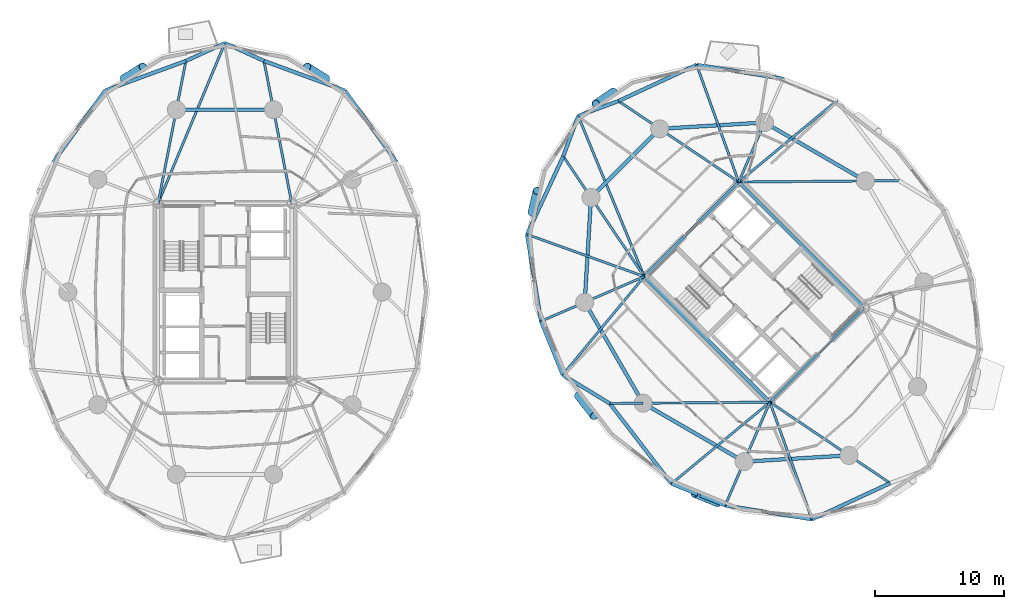
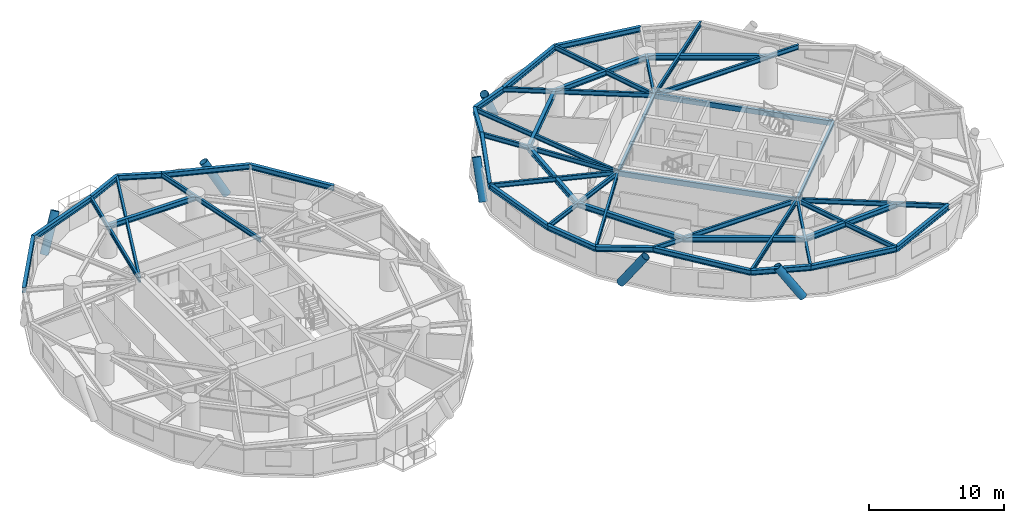
# One storey, part 5 of 18: 49 beams, 6 members.
"""IFC4 building model written with IfcOpenShell, lengths in metres."""

from ifc_helpers import new_model, si_unit, direction, frame, origin, origin_2d, place, context, subcontext, project, spatial, hollow_rectangle, hollow_circle, i_section, extrude, material, material_profile, profile_set, type_object, element, save


model = new_model("IFC4")

# Units and contexts
model_context = context("Model", 3, precision=1e-05, world=origin(), true_north=direction((0.0, 1.0)))
body_context = subcontext(model_context, "Body", "Model", "MODEL_VIEW")
ifc_project = project(units=[si_unit("LENGTHUNIT", "METRE"), si_unit("AREAUNIT", "SQUARE_METRE"), si_unit("VOLUMEUNIT", "CUBIC_METRE"), si_unit("PLANEANGLEUNIT", "RADIAN"), si_unit("MASSUNIT", "GRAM", prefix="KILO")], contexts=[model_context])

# Site, building, storey
site_placement = place(None, origin())
site = spatial("IfcSite", under=ifc_project, at=site_placement, CompositionType="ELEMENT")
building_placement = place(site_placement, origin())
building = spatial("IfcBuilding", under=site, at=building_placement, Name="Cununo Teusaquillo Station Towers", CompositionType="ELEMENT")
storey_placement = place(building_placement, frame((0.0, 0.0, 105.070068359375)))
storey = spatial("IfcBuildingStorey", under=building, at=storey_placement, Name="L33", CompositionType="ELEMENT", Elevation=105.070068359375)

# Beams
ifc_material_1 = material(Name="Steel EN 10025-2 S355J2", Category="steel")
ifc_material_profile_1 = material_profile(ifc_material_1, hollow_rectangle(XDim=0.25, YDim=0.449951171875, WallThickness=0.01611328125, at=origin_2d()), Name="RHS 450x250x16")
ifc_profile_set_1 = profile_set([ifc_material_profile_1], Name="Steel EN 10025-2 S355J2")
beam_type_1 = type_object("IfcBeamType", Name="BM-COUP-1", PredefinedType="USERDEFINED", material=ifc_profile_set_1)
for number, where, z_axis, x_axis, name in (
    (1, (58.70556640625, 15.975830078125, 2.44482421875), (-0.707106781187, 0.707106781187, 0.0), (-0.707106781187, -0.707106781187, 0.0), "L33 Tower B Core Beam 1"),
    (2, (66.024169921875, 23.29443359375, 2.44482421875), (-0.707106781187, 0.707106781187, 0.0), (-0.707106781187, -0.707106781187, 0.0), "L33 Tower B Core Beam 2"),
):
    element("IfcBeam", number, at=place(storey_placement, frame(where, z_axis=z_axis, x_axis=x_axis)), inside=storey, type_object=beam_type_1, Name=name, ObjectType="COUPLING BEAM", PredefinedType="USERDEFINED", context=body_context, shape_type="SweptSolid", body=[
        extrude(hollow_rectangle(XDim=0.25, YDim=0.449951171875, WallThickness=0.01611328125, at=origin_2d()), origin(), (0.0, 0.0, 1.0), 13.760009765625),
    ])
ifc_material_2 = material(Name="Steel ASTM A572 Grade 50", Category="steel")
ifc_material_profile_2 = material_profile(ifc_material_2, i_section(OverallWidth=0.180908203125, OverallDepth=0.4169921875, WebThickness=0.010986328125, FlangeThickness=0.018310546875, FilletRadius=0.012939453125, at=origin_2d()), Name="W16X57")
ifc_profile_set_2 = profile_set([ifc_material_profile_2], Name="Steel ASTM A572 Grade 50")
beam_type_2 = type_object("IfcBeamType", Name="BM-JOIST-1", PredefinedType="JOIST", material=ifc_profile_set_2)
beam_1_placement = place(storey_placement, frame((11.324951171875, 31.3798828125, 2.46142578125), z_axis=(0.38487837995, 0.922967297713, 0.0), x_axis=(-0.922967297713, 0.38487837995, 0.0)))
element("IfcBeam", 3, at=beam_1_placement, inside=storey, type_object=beam_type_2, Name="L33 Tower A Radial Spandrel Joist V05", PredefinedType="JOIST", context=body_context, shape_type="SweptSolid", body=[
    extrude(i_section(OverallWidth=0.180908203125, OverallDepth=0.4169921875, WebThickness=0.010986328125, FlangeThickness=0.018310546875, FilletRadius=0.012939453125, at=origin_2d()), origin(), (0.0, 0.0, 1.0), 13.446044921875),
])
beam_2_placement = place(storey_placement, frame((56.29443359375, 33.024169921875, 2.46142578125), z_axis=(0.769727799615, 0.638372238196, 0.0), x_axis=(-0.638372238196, 0.769727799615, 0.0)))
element("IfcBeam", 4, at=beam_2_placement, inside=storey, type_object=beam_type_2, Name="L33 Tower B Radial Spandrel Joist V01", PredefinedType="JOIST", context=body_context, shape_type="SweptSolid", body=[
    extrude(i_section(OverallWidth=0.180908203125, OverallDepth=0.4169921875, WebThickness=0.010986328125, FlangeThickness=0.018310546875, FilletRadius=0.012939453125, at=origin_2d()), origin(), (0.0, 0.0, 1.0), 9.895263671875),
])
beam_3_placement = place(storey_placement, frame((56.29443359375, 33.024169921875, 2.46142578125), z_axis=(-0.338176312038, 0.941082771055, 0.0), x_axis=(-0.941082771055, -0.338176312038, 0.0)))
element("IfcBeam", 5, at=beam_3_placement, inside=storey, type_object=beam_type_2, Name="L33 Tower B Radial Spandrel Joist V03", PredefinedType="JOIST", context=body_context, shape_type="SweptSolid", body=[
    extrude(i_section(OverallWidth=0.180908203125, OverallDepth=0.4169921875, WebThickness=0.010986328125, FlangeThickness=0.018310546875, FilletRadius=0.012939453125, at=origin_2d()), origin(), (0.0, 0.0, 1.0), 9.646484375),
])
beam_4_placement = place(storey_placement, frame((48.975830078125, 25.70556640625, 2.46142578125), z_axis=(-0.380485864505, 0.924786735908, 0.0), x_axis=(-0.924786735908, -0.380485864505, 0.0)))
element("IfcBeam", 6, at=beam_4_placement, inside=storey, type_object=beam_type_2, Name="L33 Tower B Radial Spandrel Joist V05", PredefinedType="JOIST", context=body_context, shape_type="SweptSolid", body=[
    extrude(i_section(OverallWidth=0.180908203125, OverallDepth=0.4169921875, WebThickness=0.010986328125, FlangeThickness=0.018310546875, FilletRadius=0.012939453125, at=origin_2d()), origin(), (0.0, 0.0, 1.0), 13.44580078125),
])
beam_5_placement = place(storey_placement, frame((48.975830078125, 25.70556640625, 2.46142578125), z_axis=(-0.941082771055, 0.338176312038, 0.0), x_axis=(-0.338176312038, -0.941082771055, 0.0)))
element("IfcBeam", 7, at=beam_5_placement, inside=storey, type_object=beam_type_2, Name="L33 Tower B Radial Spandrel Joist V07", PredefinedType="JOIST", context=body_context, shape_type="SweptSolid", body=[
    extrude(i_section(OverallWidth=0.180908203125, OverallDepth=0.4169921875, WebThickness=0.010986328125, FlangeThickness=0.018310546875, FilletRadius=0.012939453125, at=origin_2d()), origin(), (0.0, 0.0, 1.0), 9.646484375),
])
for number, where, z_axis, x_axis, name in (
    (8, (48.975830078125, 25.70556640625, 2.46142578125), (-0.638372238196, -0.769727799615, 0.0), (0.769727799615, -0.638372238196, 0.0), "L33 Tower B Radial Spandrel Joist V09"),
    (9, (58.70556640625, 15.975830078125, 2.46142578125), (-0.769727799615, -0.638372238196, 0.0), (0.638372238196, -0.769727799615, 0.0), "L33 Tower B Radial Spandrel Joist V11"),
):
    element("IfcBeam", number, at=place(storey_placement, frame(where, z_axis=z_axis, x_axis=x_axis)), inside=storey, type_object=beam_type_2, Name=name, PredefinedType="JOIST", context=body_context, shape_type="SweptSolid", body=[
        extrude(i_section(OverallWidth=0.180908203125, OverallDepth=0.4169921875, WebThickness=0.010986328125, FlangeThickness=0.018310546875, FilletRadius=0.012939453125, at=origin_2d()), origin(), (0.0, 0.0, 1.0), 9.895263671875),
    ])
beam_6_placement = place(storey_placement, frame((58.70556640625, 15.975830078125, 2.46142578125), z_axis=(0.338176312038, -0.941082771055, 0.0), x_axis=(0.941082771055, 0.338176312038, 0.0)))
element("IfcBeam", 10, at=beam_6_placement, inside=storey, type_object=beam_type_2, Name="L33 Tower B Radial Spandrel Joist V13", PredefinedType="JOIST", context=body_context, shape_type="SweptSolid", body=[
    extrude(i_section(OverallWidth=0.180908203125, OverallDepth=0.4169921875, WebThickness=0.010986328125, FlangeThickness=0.018310546875, FilletRadius=0.012939453125, at=origin_2d()), origin(), (0.0, 0.0, 1.0), 9.646484375),
])
ifc_material_3 = material(Name="Steel ASTM A572 Grade 50", Category="steel")
ifc_material_profile_3 = material_profile(ifc_material_3, i_section(OverallWidth=0.2041015625, OverallDepth=0.35009765625, WebThickness=0.008544921875, FlangeThickness=0.01513671875, FilletRadius=0.011962890625, at=origin_2d()), Name="W14X48")
ifc_profile_set_3 = profile_set([ifc_material_profile_3], Name="Steel ASTM A572 Grade 50")
beam_type_3 = type_object("IfcBeamType", Name="BM-LINTEL-1", PredefinedType="LINTEL", material=ifc_profile_set_3)
for number, where, z_axis, x_axis, name in (
    (11, (58.70556640625, 15.975830078125, 2.494873046875), (0.707106781187, 0.707106781187, 0.0), (-0.707106781187, 0.707106781187, 0.0), "L33 Tower B Core Beam 3"),
    (12, (48.975830078125, 25.70556640625, 2.494873046875), (0.707106781187, 0.707106781187, 0.0), (-0.707106781187, 0.707106781187, 0.0), "L33 Tower B Core Beam 4"),
):
    element("IfcBeam", number, at=place(storey_placement, frame(where, z_axis=z_axis, x_axis=x_axis)), inside=storey, type_object=beam_type_3, Name=name, PredefinedType="LINTEL", context=body_context, shape_type="SweptSolid", body=[
        extrude(i_section(OverallWidth=0.2041015625, OverallDepth=0.35009765625, WebThickness=0.008544921875, FlangeThickness=0.01513671875, FilletRadius=0.011962890625, at=origin_2d()), origin(), (0.0, 0.0, 1.0), 10.35009765625),
    ])
ifc_material_4 = material(Name="Steel ASTM A572 Grade 50", Category="steel")
ifc_material_profile_4 = material_profile(ifc_material_4, i_section(OverallWidth=0.180908203125, OverallDepth=0.4169921875, WebThickness=0.010986328125, FlangeThickness=0.018310546875, FilletRadius=0.012939453125, at=origin_2d()), Name="W16X57")
ifc_profile_set_4 = profile_set([ifc_material_profile_4], Name="Steel ASTM A572 Grade 50")
beam_type_4 = type_object("IfcBeamType", Name="BM-RAD-G2", PredefinedType="BEAM", material=ifc_profile_set_4)
for number, where, z_axis, x_axis, name in (
    (13, (21.675048828125, 31.3798828125, 2.46142578125), (-0.191552755713, 0.981482318628, 0.0), (-0.981482318628, -0.191552755713, 0.0), "L33 Tower A Continuous Overhanging Radial Girder 03"),
    (14, (11.324951171875, 31.3798828125, 2.46142578125), (0.191552755713, 0.981482318628, 0.0), (-0.981482318628, 0.191552755713, 0.0), "L33 Tower A Continuous Overhanging Radial Girder 04"),
):
    element("IfcBeam", number, at=place(storey_placement, frame(where, z_axis=z_axis, x_axis=x_axis)), inside=storey, type_object=beam_type_4, Name=name, PredefinedType="BEAM", context=body_context, shape_type="SweptSolid", body=[
        extrude(i_section(OverallWidth=0.180908203125, OverallDepth=0.4169921875, WebThickness=0.010986328125, FlangeThickness=0.018310546875, FilletRadius=0.012939453125, at=origin_2d()), origin(), (0.0, 0.0, 1.0), 11.22998046875),
    ])
beam_7_placement = place(storey_placement, frame((56.29443359375, 33.024169921875, 2.46142578125), z_axis=(0.999964331255, 0.008446077024, 0.0), x_axis=(-0.008446077024, 0.999964331255, 0.0)))
element("IfcBeam", 15, at=beam_7_placement, inside=storey, type_object=beam_type_4, Name="L33 Tower B Continuous Overhanging Radial Girder 01", PredefinedType="BEAM", context=body_context, shape_type="SweptSolid", body=[
    extrude(i_section(OverallWidth=0.180908203125, OverallDepth=0.4169921875, WebThickness=0.010986328125, FlangeThickness=0.018310546875, FilletRadius=0.012939453125, at=origin_2d()), origin(), (0.0, 0.0, 1.0), 12.400634765625),
])
beam_8_placement = place(storey_placement, frame((56.29443359375, 33.024169921875, 2.46142578125), z_axis=(0.397346986387, 0.917668443616, 0.0), x_axis=(-0.917668443616, 0.397346986387, 0.0)))
element("IfcBeam", 16, at=beam_8_placement, inside=storey, type_object=beam_type_4, Name="L33 Tower B Radial Girder 02A", PredefinedType="BEAM", context=body_context, shape_type="SweptSolid", body=[
    extrude(i_section(OverallWidth=0.180908203125, OverallDepth=0.4169921875, WebThickness=0.010986328125, FlangeThickness=0.018310546875, FilletRadius=0.012939453125, at=origin_2d()), origin(), (0.0, 0.0, 1.0), 5.02490234375),
])
for number, where, z_axis, x_axis, name in (
    (17, (56.29443359375, 33.024169921875, 2.46142578125), (-0.82945583878, 0.558572297481, 0.0), (-0.558572297481, -0.82945583878, 0.0), "L33 Tower B Continuous Overhanging Radial Girder 03"),
    (18, (48.975830078125, 25.70556640625, 2.46142578125), (-0.558572297481, 0.82945583878, 0.0), (-0.82945583878, -0.558572297481, 0.0), "L33 Tower B Continuous Overhanging Radial Girder 04"),
):
    element("IfcBeam", number, at=place(storey_placement, frame(where, z_axis=z_axis, x_axis=x_axis)), inside=storey, type_object=beam_type_4, Name=name, PredefinedType="BEAM", context=body_context, shape_type="SweptSolid", body=[
        extrude(i_section(OverallWidth=0.180908203125, OverallDepth=0.4169921875, WebThickness=0.010986328125, FlangeThickness=0.018310546875, FilletRadius=0.012939453125, at=origin_2d()), origin(), (0.0, 0.0, 1.0), 11.22998046875),
    ])
beam_9_placement = place(storey_placement, frame((48.975830078125, 25.70556640625, 2.46142578125), z_axis=(-0.917654733344, -0.397378648609, 0.0), x_axis=(0.397378648609, -0.917654733344, 0.0)))
element("IfcBeam", 19, at=beam_9_placement, inside=storey, type_object=beam_type_4, Name="L33 Tower B Continuous Overhanging Radial Girder 05", PredefinedType="BEAM", context=body_context, shape_type="SweptSolid", body=[
    extrude(i_section(OverallWidth=0.180908203125, OverallDepth=0.4169921875, WebThickness=0.010986328125, FlangeThickness=0.018310546875, FilletRadius=0.012939453125, at=origin_2d()), origin(), (0.0, 0.0, 1.0), 8.71484375),
])
beam_10_placement = place(storey_placement, frame((58.70556640625, 15.975830078125, 2.46142578125), z_axis=(-0.999964431382, -0.008434214327, 0.0), x_axis=(0.008434214327, -0.999964431382, 0.0)))
element("IfcBeam", 20, at=beam_10_placement, inside=storey, type_object=beam_type_4, Name="L33 Tower B Radial Girder 06A", PredefinedType="BEAM", context=body_context, shape_type="SweptSolid", body=[
    extrude(i_section(OverallWidth=0.180908203125, OverallDepth=0.4169921875, WebThickness=0.010986328125, FlangeThickness=0.018310546875, FilletRadius=0.012939453125, at=origin_2d()), origin(), (0.0, 0.0, 1.0), 9.812744140625),
])
beam_11_placement = place(storey_placement, frame((48.89306640625, 15.89306640625, 2.46142578125), z_axis=(-0.999963950292, -0.008491060999, 0.0), x_axis=(0.008491060999, -0.999963950292, 0.0)))
element("IfcBeam", 21, at=beam_11_placement, inside=storey, type_object=beam_type_4, Name="L33 Tower B Perimeter Overhang Girder 06B", PredefinedType="BEAM", context=body_context, shape_type="SweptSolid", body=[
    extrude(i_section(OverallWidth=0.180908203125, OverallDepth=0.4169921875, WebThickness=0.010986328125, FlangeThickness=0.018310546875, FilletRadius=0.012939453125, at=origin_2d()), origin(), (0.0, 0.0, 1.0), 2.587646484375),
])
beam_12_placement = place(storey_placement, frame((58.70556640625, 15.975830078125, 2.46142578125), z_axis=(-0.397378648609, -0.917654733344, 0.0), x_axis=(0.917654733344, -0.397378648609, 0.0)))
element("IfcBeam", 22, at=beam_12_placement, inside=storey, type_object=beam_type_4, Name="L33 Tower B Continuous Overhanging Radial Girder 07", PredefinedType="BEAM", context=body_context, shape_type="SweptSolid", body=[
    extrude(i_section(OverallWidth=0.180908203125, OverallDepth=0.4169921875, WebThickness=0.010986328125, FlangeThickness=0.018310546875, FilletRadius=0.012939453125, at=origin_2d()), origin(), (0.0, 0.0, 1.0), 8.71484375),
])
beam_13_placement = place(storey_placement, frame((58.70556640625, 15.975830078125, 2.46142578125), z_axis=(0.82945583878, -0.558572297481, 0.0), x_axis=(0.558572297481, 0.82945583878, 0.0)))
element("IfcBeam", 23, at=beam_13_placement, inside=storey, type_object=beam_type_4, Name="L33 Tower B Continuous Overhanging Radial Girder 08", PredefinedType="BEAM", context=body_context, shape_type="SweptSolid", body=[
    extrude(i_section(OverallWidth=0.180908203125, OverallDepth=0.4169921875, WebThickness=0.010986328125, FlangeThickness=0.018310546875, FilletRadius=0.012939453125, at=origin_2d()), origin(), (0.0, 0.0, 1.0), 11.22998046875),
])
ifc_material_5 = material(Name="Steel ASTM A572 Grade 50", Category="steel")
ifc_material_profile_5 = material_profile(ifc_material_5, i_section(OverallWidth=0.280029296875, OverallDepth=0.462890625, WebThickness=0.0107421875, FlangeThickness=0.017333984375, FilletRadius=0.013916015625, at=origin_2d()), Name="W18X76")
ifc_profile_set_5 = profile_set([ifc_material_profile_5], Name="Steel ASTM A572 Grade 50")
beam_type_5 = type_object("IfcBeamType", Name="BM-RING-Z2", PredefinedType="SPANDREL", material=ifc_profile_set_5)
beam_14_placement = place(storey_placement, frame((20.261474609375, 38.623291015625, 2.4384765625), z_axis=(-1.0, 0.0, 0.0), x_axis=(0.0, -1.0, 0.0)))
element("IfcBeam", 24, at=beam_14_placement, inside=storey, type_object=beam_type_5, Name="L33 Tower A Structural Column Ring Girder 03", PredefinedType="SPANDREL", context=body_context, shape_type="SweptSolid", body=[
    extrude(i_section(OverallWidth=0.280029296875, OverallDepth=0.462890625, WebThickness=0.0107421875, FlangeThickness=0.017333984375, FilletRadius=0.013916015625, at=origin_2d()), origin(), (0.0, 0.0, 1.0), 7.52294921875),
])
beam_15_placement = place(storey_placement, frame((29.77880859375, 34.586181640625, 2.4384765625), z_axis=(-0.58594455724, 0.810351143543, 0.0), x_axis=(-0.810351143543, -0.58594455724, 0.0)))
element("IfcBeam", 25, at=beam_15_placement, inside=storey, type_object=beam_type_5, Name="L33 Tower A Spandrel Ring Beam 03", PredefinedType="SPANDREL", context=body_context, shape_type="SweptSolid", body=[
    extrude(i_section(OverallWidth=0.280029296875, OverallDepth=0.462890625, WebThickness=0.0107421875, FlangeThickness=0.017333984375, FilletRadius=0.013916015625, at=origin_2d()), origin(), (0.0, 0.0, 1.0), 6.8115234375),
])
beam_16_placement = place(storey_placement, frame((25.78759765625, 40.10595703125, 2.4384765625), z_axis=(-0.938914161016, 0.34415141761, 0.0), x_axis=(-0.34415141761, -0.938914161016, 0.0)))
element("IfcBeam", 26, at=beam_16_placement, inside=storey, type_object=beam_type_5, Name="L33 Tower A Spandrel Ring Beam 04", PredefinedType="SPANDREL", context=body_context, shape_type="SweptSolid", body=[
    extrude(i_section(OverallWidth=0.280029296875, OverallDepth=0.462890625, WebThickness=0.0107421875, FlangeThickness=0.017333984375, FilletRadius=0.013916015625, at=origin_2d()), origin(), (0.0, 0.0, 1.0), 6.671142578125),
])
for number, where, z_axis, x_axis, name in (
    (27, (19.52392578125, 42.40185546875, 2.4384765625), (-0.908812215281, 0.417205413862, 0.0), (-0.417205413862, -0.908812215281, 0.0), "L33 Tower A Spandrel Ring Beam 05"),
    (28, (16.5, 43.7900390625, 2.4384765625), (-0.908812215281, -0.417205413862, 0.0), (0.417205413862, -0.908812215281, 0.0), "L33 Tower A Spandrel Ring Beam 06"),
):
    element("IfcBeam", number, at=place(storey_placement, frame(where, z_axis=z_axis, x_axis=x_axis)), inside=storey, type_object=beam_type_5, Name=name, PredefinedType="SPANDREL", context=body_context, shape_type="SweptSolid", body=[
        extrude(i_section(OverallWidth=0.280029296875, OverallDepth=0.462890625, WebThickness=0.0107421875, FlangeThickness=0.017333984375, FilletRadius=0.013916015625, at=origin_2d()), origin(), (0.0, 0.0, 1.0), 3.327392578125),
    ])
beam_17_placement = place(storey_placement, frame((13.47607421875, 42.40185546875, 2.4384765625), z_axis=(-0.938914161016, -0.34415141761, 0.0), x_axis=(0.34415141761, -0.938914161016, 0.0)))
element("IfcBeam", 29, at=beam_17_placement, inside=storey, type_object=beam_type_5, Name="L33 Tower A Spandrel Ring Beam 07", PredefinedType="SPANDREL", context=body_context, shape_type="SweptSolid", body=[
    extrude(i_section(OverallWidth=0.280029296875, OverallDepth=0.462890625, WebThickness=0.0107421875, FlangeThickness=0.017333984375, FilletRadius=0.013916015625, at=origin_2d()), origin(), (0.0, 0.0, 1.0), 6.671142578125),
])
beam_18_placement = place(storey_placement, frame((7.21240234375, 40.10595703125, 2.4384765625), z_axis=(-0.58594455724, -0.810351143543, 0.0), x_axis=(0.810351143543, -0.58594455724, 0.0)))
element("IfcBeam", 30, at=beam_18_placement, inside=storey, type_object=beam_type_5, Name="L33 Tower A Spandrel Ring Beam 08", PredefinedType="SPANDREL", context=body_context, shape_type="SweptSolid", body=[
    extrude(i_section(OverallWidth=0.280029296875, OverallDepth=0.462890625, WebThickness=0.0107421875, FlangeThickness=0.017333984375, FilletRadius=0.013916015625, at=origin_2d()), origin(), (0.0, 0.0, 1.0), 6.8115234375),
])
beam_19_placement = place(storey_placement, frame((66.10693359375, 33.10693359375, 2.4384765625), z_axis=(-0.865267103202, 0.501311121078, 0.0), x_axis=(-0.501311121078, -0.865267103202, 0.0)))
element("IfcBeam", 31, at=beam_19_placement, inside=storey, type_object=beam_type_5, Name="L33 Tower B Structural Column Ring Girder 01", PredefinedType="SPANDREL", context=body_context, shape_type="SweptSolid", body=[
    extrude(i_section(OverallWidth=0.280029296875, OverallDepth=0.462890625, WebThickness=0.0107421875, FlangeThickness=0.017333984375, FilletRadius=0.013916015625, at=origin_2d()), origin(), (0.0, 0.0, 1.0), 9.032958984375),
])
beam_20_placement = place(storey_placement, frame((58.291015625, 37.63525390625, 2.4384765625), z_axis=(-0.998190567048, -0.06012979176, 0.0), x_axis=(0.06012979176, -0.998190567048, 0.0)))
element("IfcBeam", 32, at=beam_20_placement, inside=storey, type_object=beam_type_5, Name="L33 Tower B Structural Column Ring Girder 02", PredefinedType="SPANDREL", context=body_context, shape_type="SweptSolid", body=[
    extrude(i_section(OverallWidth=0.280029296875, OverallDepth=0.462890625, WebThickness=0.0107421875, FlangeThickness=0.017333984375, FilletRadius=0.013916015625, at=origin_2d()), origin(), (0.0, 0.0, 1.0), 8.132568359375),
])
beam_21_placement = place(storey_placement, frame((50.173095703125, 37.146240234375, 2.4384765625), z_axis=(-0.707106781187, -0.707106781187, 0.0), x_axis=(0.707106781187, -0.707106781187, 0.0)))
element("IfcBeam", 33, at=beam_21_placement, inside=storey, type_object=beam_type_5, Name="L33 Tower B Structural Column Ring Girder 03", PredefinedType="SPANDREL", context=body_context, shape_type="SweptSolid", body=[
    extrude(i_section(OverallWidth=0.280029296875, OverallDepth=0.462890625, WebThickness=0.0107421875, FlangeThickness=0.017333984375, FilletRadius=0.013916015625, at=origin_2d()), origin(), (0.0, 0.0, 1.0), 7.522705078125),
])
beam_22_placement = place(storey_placement, frame((44.853759765625, 31.826904296875, 2.4384765625), z_axis=(-0.06012979176, -0.998190567048, 0.0), x_axis=(0.998190567048, -0.06012979176, 0.0)))
element("IfcBeam", 34, at=beam_22_placement, inside=storey, type_object=beam_type_5, Name="L33 Tower B Structural Column Ring Girder 04", PredefinedType="SPANDREL", context=body_context, shape_type="SweptSolid", body=[
    extrude(i_section(OverallWidth=0.280029296875, OverallDepth=0.462890625, WebThickness=0.0107421875, FlangeThickness=0.017333984375, FilletRadius=0.013916015625, at=origin_2d()), origin(), (0.0, 0.0, 1.0), 8.132568359375),
])
for number, where, z_axis, x_axis, name in (
    (35, (44.36474609375, 23.708984375, 2.4384765625), (0.501311121078, -0.865267103202, 0.0), (0.865267103202, 0.501311121078, 0.0), "L33 Tower B Structural Column Ring Girder 05"),
    (36, (48.89306640625, 15.89306640625, 2.4384765625), (0.865267103202, -0.501311121078, 0.0), (0.501311121078, 0.865267103202, 0.0), "L33 Tower B Structural Column Ring Girder 06"),
):
    element("IfcBeam", number, at=place(storey_placement, frame(where, z_axis=z_axis, x_axis=x_axis)), inside=storey, type_object=beam_type_5, Name=name, PredefinedType="SPANDREL", context=body_context, shape_type="SweptSolid", body=[
        extrude(i_section(OverallWidth=0.280029296875, OverallDepth=0.462890625, WebThickness=0.0107421875, FlangeThickness=0.017333984375, FilletRadius=0.013916015625, at=origin_2d()), origin(), (0.0, 0.0, 1.0), 9.032958984375),
    ])
beam_23_placement = place(storey_placement, frame((56.708984375, 11.36474609375, 2.4384765625), z_axis=(0.998190567048, 0.06012979176, 0.0), x_axis=(-0.06012979176, 0.998190567048, 0.0)))
element("IfcBeam", 37, at=beam_23_placement, inside=storey, type_object=beam_type_5, Name="L33 Tower B Structural Column Ring Girder 07", PredefinedType="SPANDREL", context=body_context, shape_type="SweptSolid", body=[
    extrude(i_section(OverallWidth=0.280029296875, OverallDepth=0.462890625, WebThickness=0.0107421875, FlangeThickness=0.017333984375, FilletRadius=0.013916015625, at=origin_2d()), origin(), (0.0, 0.0, 1.0), 8.132568359375),
])
beam_24_placement = place(storey_placement, frame((59.757568359375, 41.021484375, 2.4384765625), z_axis=(-0.987331474246, 0.158671232312, 0.0), x_axis=(-0.158671232312, -0.987331474246, 0.0)))
element("IfcBeam", 38, at=beam_24_placement, inside=storey, type_object=beam_type_5, Name="L33 Tower B Spandrel Ring Beam 03", PredefinedType="SPANDREL", context=body_context, shape_type="SweptSolid", body=[
    extrude(i_section(OverallWidth=0.280029296875, OverallDepth=0.462890625, WebThickness=0.0107421875, FlangeThickness=0.017333984375, FilletRadius=0.013916015625, at=origin_2d()), origin(), (0.0, 0.0, 1.0), 6.8115234375),
])
beam_25_placement = place(storey_placement, frame((53.0322265625, 42.102294921875, 2.4384765625), z_axis=(-0.907275870354, -0.420535961689, 0.0), x_axis=(0.420535961689, -0.907275870354, 0.0)))
element("IfcBeam", 39, at=beam_25_placement, inside=storey, type_object=beam_type_5, Name="L33 Tower B Spandrel Ring Beam 04", PredefinedType="SPANDREL", context=body_context, shape_type="SweptSolid", body=[
    extrude(i_section(OverallWidth=0.280029296875, OverallDepth=0.462890625, WebThickness=0.0107421875, FlangeThickness=0.017333984375, FilletRadius=0.013916015625, at=origin_2d()), origin(), (0.0, 0.0, 1.0), 6.671142578125),
])
for number, where, z_axis, x_axis, name in (
    (40, (46.979736328125, 39.296875, 2.4384765625), (-0.937628334414, -0.347639333943, 0.0), (0.347639333943, -0.937628334414, 0.0), "L33 Tower B Spandrel Ring Beam 05"),
    (41, (43.85986328125, 38.14013671875, 2.4384765625), (-0.347639333943, -0.937628334414, 0.0), (0.937628334414, -0.347639333943, 0.0), "L33 Tower B Spandrel Ring Beam 06"),
):
    element("IfcBeam", number, at=place(storey_placement, frame(where, z_axis=z_axis, x_axis=x_axis)), inside=storey, type_object=beam_type_5, Name=name, PredefinedType="SPANDREL", context=body_context, shape_type="SweptSolid", body=[
        extrude(i_section(OverallWidth=0.280029296875, OverallDepth=0.462890625, WebThickness=0.0107421875, FlangeThickness=0.017333984375, FilletRadius=0.013916015625, at=origin_2d()), origin(), (0.0, 0.0, 1.0), 3.327392578125),
    ])
beam_26_placement = place(storey_placement, frame((42.703125, 35.020263671875, 2.4384765625), z_axis=(-0.420535961689, -0.907275870354, 0.0), x_axis=(0.907275870354, -0.420535961689, 0.0)))
element("IfcBeam", 42, at=beam_26_placement, inside=storey, type_object=beam_type_5, Name="L33 Tower B Spandrel Ring Beam 07", PredefinedType="SPANDREL", context=body_context, shape_type="SweptSolid", body=[
    extrude(i_section(OverallWidth=0.280029296875, OverallDepth=0.462890625, WebThickness=0.0107421875, FlangeThickness=0.017333984375, FilletRadius=0.013916015625, at=origin_2d()), origin(), (0.0, 0.0, 1.0), 6.671142578125),
])
beam_27_placement = place(storey_placement, frame((39.897705078125, 28.9677734375, 2.4384765625), z_axis=(0.158671232312, -0.987331474246, 0.0), x_axis=(0.987331474246, 0.158671232312, 0.0)))
element("IfcBeam", 43, at=beam_27_placement, inside=storey, type_object=beam_type_5, Name="L33 Tower B Spandrel Ring Beam 08", PredefinedType="SPANDREL", context=body_context, shape_type="SweptSolid", body=[
    extrude(i_section(OverallWidth=0.280029296875, OverallDepth=0.462890625, WebThickness=0.0107421875, FlangeThickness=0.017333984375, FilletRadius=0.013916015625, at=origin_2d()), origin(), (0.0, 0.0, 1.0), 6.8115234375),
])
beam_28_placement = place(storey_placement, frame((40.978515625, 22.242431640625, 2.4384765625), z_axis=(0.375042266631, -0.927007712072, 0.0), x_axis=(0.927007712072, 0.375042266631, 0.0)))
element("IfcBeam", 44, at=beam_28_placement, inside=storey, type_object=beam_type_5, Name="L33 Tower B Spandrel Ring Beam 09", PredefinedType="SPANDREL", context=body_context, shape_type="SweptSolid", body=[
    extrude(i_section(OverallWidth=0.280029296875, OverallDepth=0.462890625, WebThickness=0.0107421875, FlangeThickness=0.017333984375, FilletRadius=0.013916015625, at=origin_2d()), origin(), (0.0, 0.0, 1.0), 4.480712890625),
])
beam_29_placement = place(storey_placement, frame((42.658935546875, 18.0888671875, 2.4384765625), z_axis=(0.854388492444, -0.519634779416, 0.0), x_axis=(0.519634779416, 0.854388492444, 0.0)))
element("IfcBeam", 45, at=beam_29_placement, inside=storey, type_object=beam_type_5, Name="L33 Tower B Spandrel Ring Beam 10", PredefinedType="SPANDREL", context=body_context, shape_type="SweptSolid", body=[
    extrude(i_section(OverallWidth=0.280029296875, OverallDepth=0.462890625, WebThickness=0.0107421875, FlangeThickness=0.017333984375, FilletRadius=0.013916015625, at=origin_2d()), origin(), (0.0, 0.0, 1.0), 4.26806640625),
])
beam_30_placement = place(storey_placement, frame((46.305419921875, 15.87109375, 2.4384765625), z_axis=(0.610100441726, -0.792324082056, 0.0), x_axis=(0.792324082056, 0.610100441726, 0.0)))
element("IfcBeam", 46, at=beam_30_placement, inside=storey, type_object=beam_type_5, Name="L33 Tower B Spandrel Ring Beam 11", PredefinedType="SPANDREL", context=body_context, shape_type="SweptSolid", body=[
    extrude(i_section(OverallWidth=0.280029296875, OverallDepth=0.462890625, WebThickness=0.0107421875, FlangeThickness=0.017333984375, FilletRadius=0.013916015625, at=origin_2d()), origin(), (0.0, 0.0, 1.0), 7.84033203125),
])
beam_31_placement = place(storey_placement, frame((51.0888671875, 9.658935546875, 2.4384765625), z_axis=(0.927007712072, -0.375042266631, 0.0), x_axis=(0.375042266631, 0.927007712072, 0.0)))
element("IfcBeam", 47, at=beam_31_placement, inside=storey, type_object=beam_type_5, Name="L33 Tower B Spandrel Ring Beam 12", PredefinedType="SPANDREL", context=body_context, shape_type="SweptSolid", body=[
    extrude(i_section(OverallWidth=0.280029296875, OverallDepth=0.462890625, WebThickness=0.0107421875, FlangeThickness=0.017333984375, FilletRadius=0.013916015625, at=origin_2d()), origin(), (0.0, 0.0, 1.0), 4.480712890625),
])
beam_32_placement = place(storey_placement, frame((55.242431640625, 7.978515625, 2.4384765625), z_axis=(0.987331474246, -0.158671232312, 0.0), x_axis=(0.158671232312, 0.987331474246, 0.0)))
element("IfcBeam", 48, at=beam_32_placement, inside=storey, type_object=beam_type_5, Name="L33 Tower B Spandrel Ring Beam 13", PredefinedType="SPANDREL", context=body_context, shape_type="SweptSolid", body=[
    extrude(i_section(OverallWidth=0.280029296875, OverallDepth=0.462890625, WebThickness=0.0107421875, FlangeThickness=0.017333984375, FilletRadius=0.013916015625, at=origin_2d()), origin(), (0.0, 0.0, 1.0), 6.8115234375),
])
beam_33_placement = place(storey_placement, frame((61.9677734375, 6.897705078125, 2.4384765625), z_axis=(0.907275870354, 0.420535961689, 0.0), x_axis=(-0.420535961689, 0.907275870354, 0.0)))
element("IfcBeam", 49, at=beam_33_placement, inside=storey, type_object=beam_type_5, Name="L33 Tower B Spandrel Ring Beam 14", PredefinedType="SPANDREL", context=body_context, shape_type="SweptSolid", body=[
    extrude(i_section(OverallWidth=0.280029296875, OverallDepth=0.462890625, WebThickness=0.0107421875, FlangeThickness=0.017333984375, FilletRadius=0.013916015625, at=origin_2d()), origin(), (0.0, 0.0, 1.0), 6.671142578125),
])

# Members
ifc_material_6 = material(Name="Steel EN 10025-2 S355J2", Category="steel")
ifc_material_profile_6 = material_profile(ifc_material_6, hollow_circle(Radius=0.330078125, WallThickness=0.02490234375, at=origin_2d()), Name="CHS 660x25")
ifc_profile_set_6 = profile_set([ifc_material_profile_6], Name="Steel EN 10025-2 S355J2")
member_type = type_object("IfcMemberType", Name="MBR-DIAG-Z2", PredefinedType="BRACE", material=ifc_profile_set_6)
for number, where, z_axis, x_axis, name in (
    (50, (24.3193359375, 41.019287109375, -0.14013671875), (-0.433741137774, 0.269808047292, 0.859693109789), (-0.528195574716, -0.849122744278, 0.0), "L33 Tower A Folded-Zigzag Diagrid Tube C03"),
    (51, (8.6806640625, 41.019287109375, -0.14013671875), (0.433741137774, 0.269808047292, 0.859693109789), (-0.528195574716, 0.849122744278, 0.0), "L33 Tower A Folded-Zigzag Diagrid Tube C06"),
):
    element("IfcMember", number, at=place(storey_placement, frame(where, z_axis=z_axis, x_axis=x_axis)), inside=storey, type_object=member_type, Name=name, PredefinedType="BRACE", context=body_context, shape_type="SweptSolid", body=[
        extrude(hollow_circle(Radius=0.330078125, WallThickness=0.02490234375, at=origin_2d()), origin(), (0.0, 0.0, 1.0), 3.385009765625),
    ])
member_1_placement = place(storey_placement, frame((46.606689453125, 39.996826171875, -0.14013671875), z_axis=(-0.410046606979, -0.277155057731, 0.868934320924), x_axis=(0.559991322854, -0.828498472134, 0.0)))
element("IfcMember", 52, at=member_1_placement, inside=storey, type_object=member_type, Name="L33 Tower B Folded-Zigzag Diagrid Tube C04", PredefinedType="BRACE", context=body_context, shape_type="SweptSolid", body=[
    extrude(hollow_circle(Radius=0.330078125, WallThickness=0.02490234375, at=origin_2d()), origin(), (0.0, 0.0, 1.0), 3.34912109375),
])
member_2_placement = place(storey_placement, frame((40.2900390625, 30.651611328125, -0.14013671875), z_axis=(0.115899426578, 0.497494862811, 0.859689586069), x_axis=(-0.973920299704, 0.226890391653, 0.0)))
element("IfcMember", 53, at=member_2_placement, inside=storey, type_object=member_type, Name="L33 Tower B Folded-Zigzag Diagrid Tube C06", PredefinedType="BRACE", context=body_context, shape_type="SweptSolid", body=[
    extrude(hollow_circle(Radius=0.330078125, WallThickness=0.02490234375, at=origin_2d()), origin(), (0.0, 0.0, 1.0), 3.385009765625),
])
member_3_placement = place(storey_placement, frame((43.881591796875, 16.501708984375, -0.14013671875), z_axis=(0.346044496653, -0.449277419576, 0.823652236442), x_axis=(0.792243348803, 0.610205273886, 0.0)))
element("IfcMember", 54, at=member_3_placement, inside=storey, type_object=member_type, Name="L33 Tower B Folded-Zigzag Diagrid Tube C09", PredefinedType="BRACE", context=body_context, shape_type="SweptSolid", body=[
    extrude(hollow_circle(Radius=0.330078125, WallThickness=0.02490234375, at=origin_2d()), origin(), (0.0, 0.0, 1.0), 3.533203125),
])
member_4_placement = place(storey_placement, frame((54.681884765625, 8.181884765625, -0.14013671875), z_axis=(-0.513432884221, 0.211081064796, 0.831764063593), x_axis=(-0.380237656053, -0.924888817599, 0.0)))
element("IfcMember", 55, at=member_4_placement, inside=storey, type_object=member_type, Name="L33 Tower B Folded-Zigzag Diagrid Tube C11", PredefinedType="BRACE", context=body_context, shape_type="SweptSolid", body=[
    extrude(hollow_circle(Radius=0.330078125, WallThickness=0.02490234375, at=origin_2d()), origin(), (0.0, 0.0, 1.0), 3.498779296875),
])

save(model, "model.ifc")
